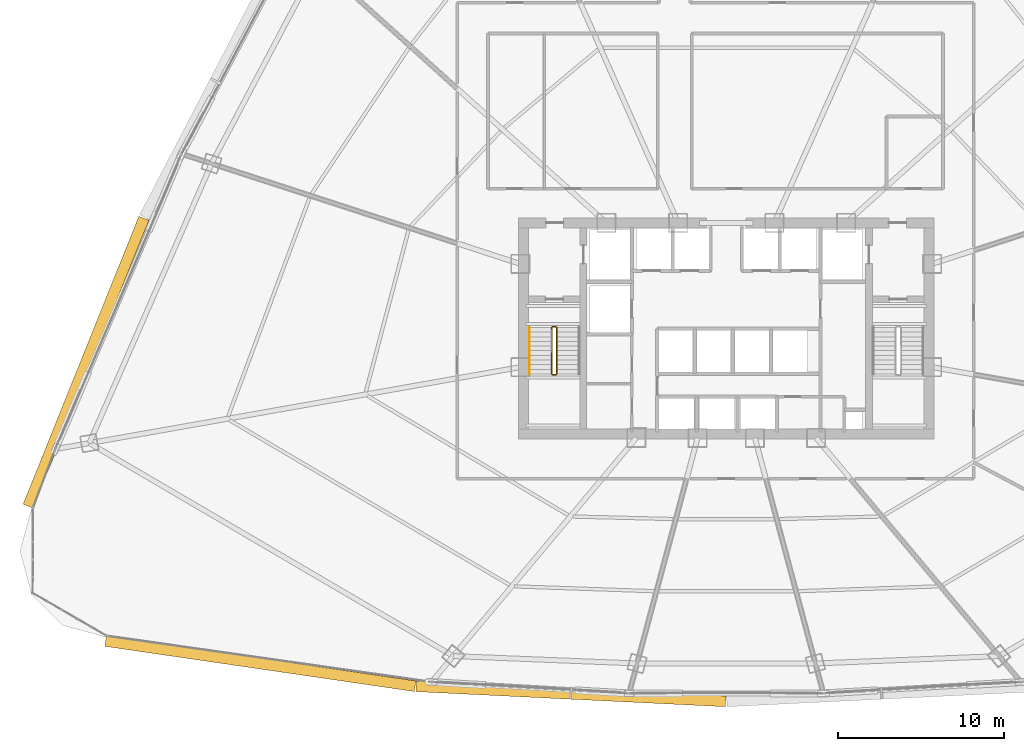
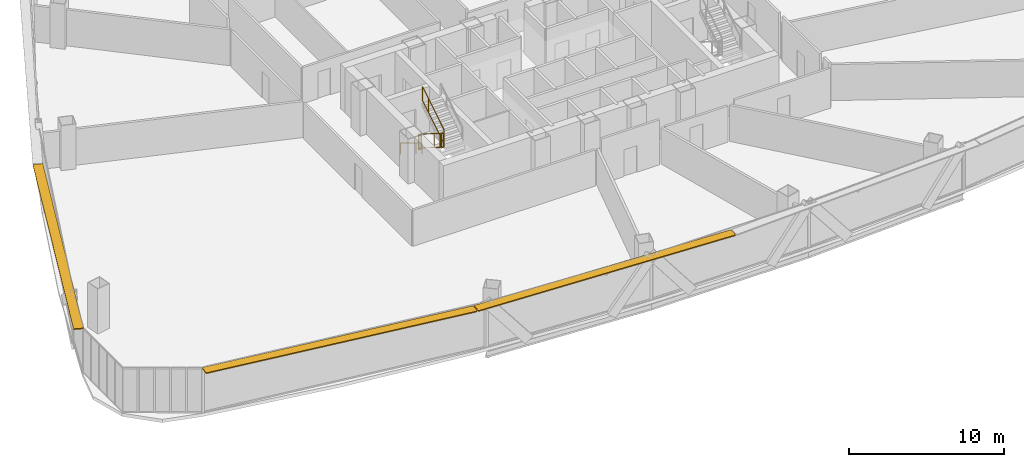
# One storey, part 36 of 39: 5 railings, 3 shading devices.
"""IFC4 building model written with IfcOpenShell, lengths in metres."""

from ifc_helpers import new_model, si_unit, direction, frame, origin, origin_2d, place, context, subcontext, project, spatial, rectangle, extrude, source, transform, mapped, material, layer, layer_set, type_object, element, save


model = new_model("IFC4")

# Units and contexts
model_context = context("Model", 3, precision=1e-05, world=origin(), true_north=direction((0.0, 1.0)))
body_context = subcontext(model_context, "Body", "Model", "MODEL_VIEW")
ifc_project = project(units=[si_unit("LENGTHUNIT", "METRE"), si_unit("AREAUNIT", "SQUARE_METRE"), si_unit("VOLUMEUNIT", "CUBIC_METRE"), si_unit("PLANEANGLEUNIT", "RADIAN"), si_unit("MASSUNIT", "GRAM", prefix="KILO"), si_unit("THERMODYNAMICTEMPERATUREUNIT", "KELVIN"), si_unit("POWERUNIT", "WATT")], contexts=[model_context])

# Site, building, storey
site_placement = place(None, origin())
site = spatial("IfcSite", under=ifc_project, at=site_placement, CompositionType="ELEMENT")
building_placement = place(site_placement, origin())
building = spatial("IfcBuilding", under=site, at=building_placement, Name="Yunzhuo Pagoda Commons", CompositionType="ELEMENT")
storey_placement = place(building_placement, frame((0.0, 0.0, 92.580078125)))
storey = spatial("IfcBuildingStorey", under=building, at=storey_placement, Name="L23", CompositionType="ELEMENT", Elevation=92.580078125)

# Railings
ifc_material = material(Name="Anodized aluminium 6063-T6", Category="aluminium")
railing_type_1 = type_object("IfcRailingType", Name="GR-ST1 Stair Well Guardrail 1150", PredefinedType="GUARDRAIL", material=ifc_material)
railing_1_placement = place(storey_placement, frame((37.5, 33.89990234375, 0.172607421875)))
element("IfcRailing", 1, at=railing_1_placement, inside=storey, type_object=railing_type_1, Name="L23 ST1 stair guard 1", PredefinedType="GUARDRAIL", context=body_context, shape_type="SweptSolid", body=[
    extrude(rectangle(XDim=0.048095703125, YDim=0.048095703125, at=origin_2d()), frame((0.0, 0.0, 1.1259765625), z_axis=(0.0, -0.851069175582, 0.525053576669), x_axis=(1.0, 0.0, 0.0)), (0.0, 0.0, 1.0), 3.289794921875),
    extrude(rectangle(XDim=0.048095703125, YDim=0.048095703125, at=origin_2d()), frame((0.0, 0.0, 0.02392578125), z_axis=(0.0, -0.851069175582, 0.525053576669), x_axis=(1.0, 0.0, 0.0)), (0.0, 0.0, 1.0), 3.289794921875),
    extrude(rectangle(XDim=0.0419921875, YDim=0.0419921875, at=origin_2d()), origin(), (0.0, 0.0, 1.0), 1.101806640625),
    extrude(rectangle(XDim=0.0419921875, YDim=0.0419921875, at=origin_2d()), frame((0.0, -2.04248046875, 1.260009765625)), (0.0, 0.0, 1.0), 1.101806640625),
    extrude(rectangle(XDim=0.0419921875, YDim=0.0419921875, at=origin_2d()), frame((0.0, -2.7998046875, 1.727294921875)), (0.0, 0.0, 1.0), 1.101806640625),
])
railing_2_placement = place(storey_placement, frame((37.550048828125, 31.050048828125, 1.89990234375)))
element("IfcRailing", 2, at=railing_2_placement, inside=storey, type_object=railing_type_1, Name="L23 ST1 stair guard 2", PredefinedType="GUARDRAIL", context=body_context, shape_type="SweptSolid", body=[
    extrude(rectangle(XDim=0.048095703125, YDim=0.048095703125, at=origin_2d()), frame((0.0, 0.0, 1.1259765625), z_axis=(1.0, 0.0, 0.0), x_axis=(0.0, 1.0, 0.0)), (0.0, 0.0, 1.0), 0.199951171875),
    extrude(rectangle(XDim=0.048095703125, YDim=0.048095703125, at=origin_2d()), frame((0.0, 0.0, 0.02392578125), z_axis=(1.0, 0.0, 0.0), x_axis=(0.0, 1.0, 0.0)), (0.0, 0.0, 1.0), 0.199951171875),
    extrude(rectangle(XDim=0.0419921875, YDim=0.0419921875, at=origin_2d()), origin(), (0.0, 0.0, 1.0), 1.101806640625),
    extrude(rectangle(XDim=0.0419921875, YDim=0.0419921875, at=origin_2d()), frame((0.199951171875, 0.0, 0.0)), (0.0, 0.0, 1.0), 1.101806640625),
])
railing_3_placement = place(storey_placement, frame((37.800048828125, 31.10009765625, 2.07275390625)))
element("IfcRailing", 3, at=railing_3_placement, inside=storey, type_object=railing_type_1, Name="L23 ST1 stair guard 3", PredefinedType="GUARDRAIL", context=body_context, shape_type="SweptSolid", body=[
    extrude(rectangle(XDim=0.048095703125, YDim=0.048095703125, at=origin_2d()), frame((0.0, 0.0, 1.1259765625), z_axis=(0.0, 0.851102337555, 0.524999820009), x_axis=(-1.0, 0.0, 0.0)), (0.0, 0.0, 1.0), 3.28955078125),
    extrude(rectangle(XDim=0.048095703125, YDim=0.048095703125, at=origin_2d()), frame((0.0, 0.0, 0.02392578125), z_axis=(0.0, 0.851102337555, 0.524999820009), x_axis=(-1.0, 0.0, 0.0)), (0.0, 0.0, 1.0), 3.28955078125),
    extrude(rectangle(XDim=0.0419921875, YDim=0.0419921875, at=origin_2d()), origin(), (0.0, 0.0, 1.0), 1.101806640625),
    extrude(rectangle(XDim=0.0419921875, YDim=0.0419921875, at=origin_2d()), frame((0.0, 2.042724609375, 1.260009765625)), (0.0, 0.0, 1.0), 1.101806640625),
    extrude(rectangle(XDim=0.0419921875, YDim=0.0419921875, at=origin_2d()), frame((0.0, 2.7998046875, 1.72705078125)), (0.0, 0.0, 1.0), 1.101806640625),
])
railing_4_placement = place(storey_placement, frame((37.550048828125, 33.949951171875, 0.0)))
element("IfcRailing", 4, at=railing_4_placement, inside=storey, type_object=railing_type_1, Name="L23 ST1 stair guard 4", PredefinedType="GUARDRAIL", context=body_context, shape_type="SweptSolid", body=[
    extrude(rectangle(XDim=0.048095703125, YDim=0.048095703125, at=origin_2d()), frame((0.0, 0.0, 1.1259765625), z_axis=(1.0, 0.0, 0.0), x_axis=(0.0, 1.0, 0.0)), (0.0, 0.0, 1.0), 0.199951171875),
    extrude(rectangle(XDim=0.048095703125, YDim=0.048095703125, at=origin_2d()), frame((0.0, 0.0, 0.02392578125), z_axis=(1.0, 0.0, 0.0), x_axis=(0.0, 1.0, 0.0)), (0.0, 0.0, 1.0), 0.199951171875),
    extrude(rectangle(XDim=0.0419921875, YDim=0.0419921875, at=origin_2d()), origin(), (0.0, 0.0, 1.0), 1.101806640625),
    extrude(rectangle(XDim=0.0419921875, YDim=0.0419921875, at=origin_2d()), frame((0.199951171875, 0.0, 0.0)), (0.0, 0.0, 1.0), 1.101806640625),
])
railing_type_2 = type_object("IfcRailingType", Name="HR-ST1 Stair Handrail 900", PredefinedType="HANDRAIL", material=ifc_material)
railing_5_placement = place(storey_placement, frame((36.14990234375, 33.89990234375, 0.172607421875)))
element("IfcRailing", 5, at=railing_5_placement, inside=storey, type_object=railing_type_2, Name="L23 ST1 stair handrail 1", PredefinedType="HANDRAIL", context=body_context, shape_type="SweptSolid", body=[
    extrude(rectangle(XDim=0.048095703125, YDim=0.048095703125, at=origin_2d()), frame((0.0, 0.0, 0.8759765625), z_axis=(0.0, -0.851069175582, 0.525053576669), x_axis=(1.0, 0.0, 0.0)), (0.0, 0.0, 1.0), 3.289794921875),
    extrude(rectangle(XDim=0.0419921875, YDim=0.0419921875, at=origin_2d()), origin(), (0.0, 0.0, 1.0), 0.851806640625),
    extrude(rectangle(XDim=0.0419921875, YDim=0.0419921875, at=origin_2d()), frame((0.0, -2.04248046875, 1.260009765625)), (0.0, 0.0, 1.0), 0.851806640625),
    extrude(rectangle(XDim=0.0419921875, YDim=0.0419921875, at=origin_2d()), frame((0.0, -2.7998046875, 1.727294921875)), (0.0, 0.0, 1.0), 0.851806640625),
])

# Shading devices
ifc_layer = layer(ifc_material, 0.080078125)
ifc_layer_set = layer_set([ifc_layer], Name="Anodized aluminium 6063-T6")
shading_device_type = type_object("IfcShadingDeviceType", Name="SH-SUN1 Pagoda Horizontal Sunshade Eave 650", PredefinedType="USERDEFINED", material=ifc_layer_set)
shared_shape_1 = source(origin(), body_context, "Body", "SweptSolid", [
    extrude(rectangle(XDim=18.838134765625, YDim=0.64990234375, at=origin_2d()), origin(), (0.0, 0.0, 1.0), 0.080078125),
])
shading_device_1_placement = place(storey_placement, frame((19.945068359375, 13.65966796875, 3.4599609375), z_axis=(0.0, 0.0, 1.0), x_axis=(0.989510666697, -0.144459823108, 0.0)))
element("IfcShadingDevice", 6, at=shading_device_1_placement, inside=storey, type_object=shading_device_type, Name="L23 horizontal pagoda sunshade eave F1.1", ObjectType="SUNSHADE", PredefinedType="USERDEFINED", context=body_context, shape_type="MappedRepresentation", body=[
    mapped(shared_shape_1, transform((0.0, 0.0, 0.0), scale=1.0)),
])
shared_shape_2 = source(origin(), body_context, "Body", "SweptSolid", [
    extrude(rectangle(XDim=18.662353515625, YDim=0.64990234375, at=origin_2d()), origin(), (0.0, 0.0, 1.0), 0.080078125),
])
shading_device_2_placement = place(storey_placement, frame((38.648193359375, 11.839599609375, 3.4599609375), z_axis=(0.0, 0.0, 1.0), x_axis=(0.998818043775, -0.04860571396, 0.0)))
element("IfcShadingDevice", 7, at=shading_device_2_placement, inside=storey, type_object=shading_device_type, Name="L23 horizontal pagoda sunshade eave F1.2", ObjectType="SUNSHADE", PredefinedType="USERDEFINED", context=body_context, shape_type="MappedRepresentation", body=[
    mapped(shared_shape_2, transform((0.0, 0.0, 0.0), scale=1.0)),
])
shared_shape_3 = source(origin(), body_context, "Body", "SweptSolid", [
    extrude(rectangle(XDim=18.686767578125, YDim=0.64990234375, at=origin_2d()), origin(), (0.0, 0.0, 1.0), 0.080078125),
])
shading_device_3_placement = place(storey_placement, frame((9.447021484375, 31.809814453125, 3.4599609375), z_axis=(0.0, 0.0, 1.0), x_axis=(-0.372987782576, -0.927836253899, 0.0)))
element("IfcShadingDevice", 8, at=shading_device_3_placement, inside=storey, type_object=shading_device_type, Name="L23 horizontal pagoda sunshade eave F3.4", ObjectType="SUNSHADE", PredefinedType="USERDEFINED", context=body_context, shape_type="MappedRepresentation", body=[
    mapped(shared_shape_3, transform((0.0, 0.0, 0.0), scale=1.0)),
])

save(model, "model.ifc")
